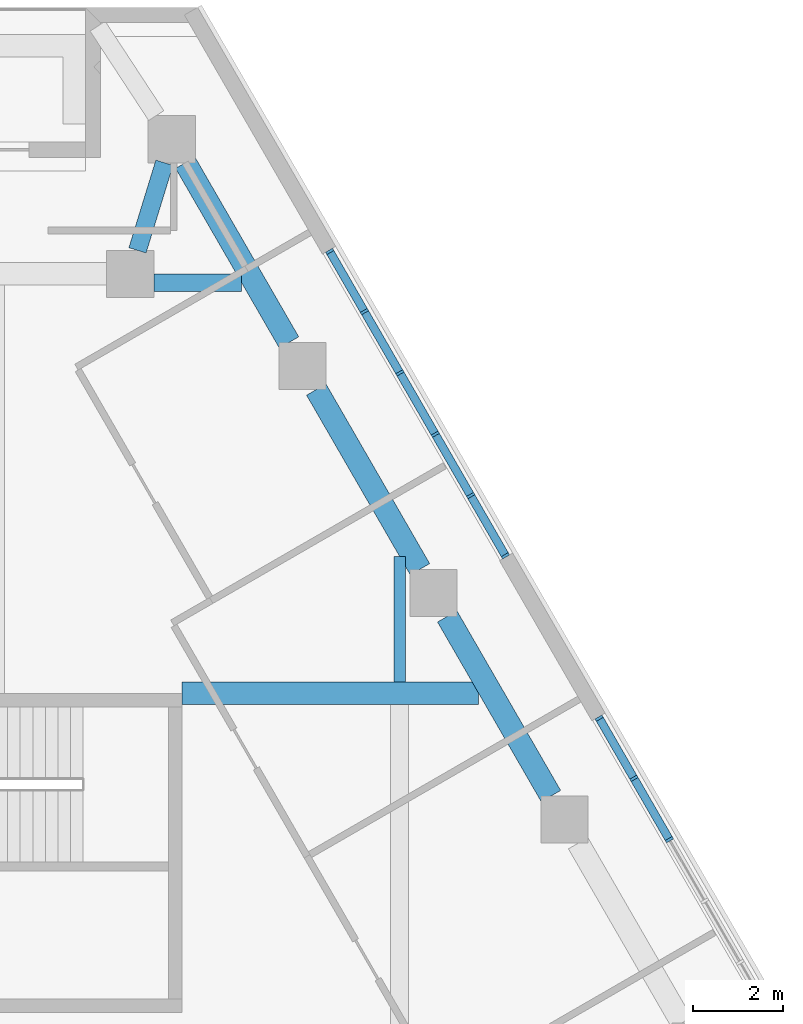
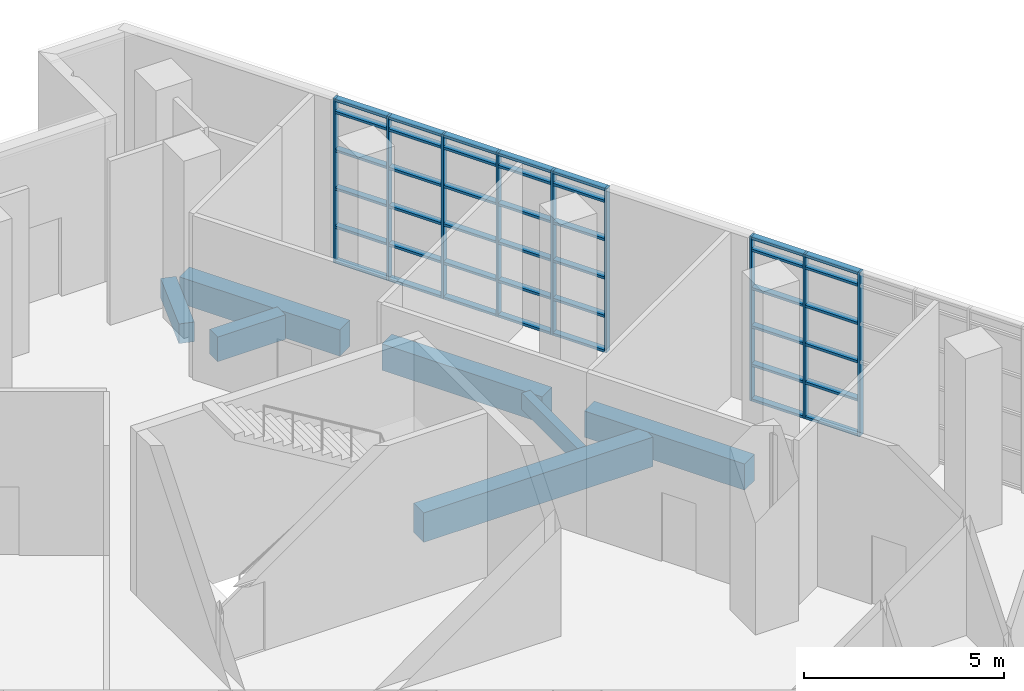
# One storey, part 7 of 18: 51 members, 7 beams, 2 elements without a shape of their own.
"""IFC4 building model written with IfcOpenShell, lengths in metres."""

from ifc_helpers import new_model, si_unit, direction, frame, origin, origin_2d, place, context, subcontext, project, spatial, rectangle, extrude, material, material_profile, profile_set, type_object, element, aggregate, save


model = new_model("IFC4")

# Units and contexts
model_context = context("Model", 3, precision=1e-05, world=origin(), true_north=direction((0.0, 1.0)))
body_context = subcontext(model_context, "Body", "Model", "MODEL_VIEW")
ifc_project = project(units=[si_unit("LENGTHUNIT", "METRE"), si_unit("AREAUNIT", "SQUARE_METRE"), si_unit("VOLUMEUNIT", "CUBIC_METRE"), si_unit("PLANEANGLEUNIT", "RADIAN"), si_unit("MASSUNIT", "GRAM", prefix="KILO")], contexts=[model_context])

# Site, building, storey
site_placement = place(None, origin())
site = spatial("IfcSite", under=ifc_project, at=site_placement, CompositionType="ELEMENT")
building_placement = place(site_placement, origin())
building = spatial("IfcBuilding", under=site, at=building_placement, Name="Fogline Exchange Tower", CompositionType="ELEMENT")
storey_placement = place(building_placement, frame((0.0, 0.0, 137.5)))
storey = spatial("IfcBuildingStorey", under=building, at=storey_placement, Name="L30", CompositionType="ELEMENT", Elevation=137.5)

# Beams
ifc_material_1 = material(Name="Concrete C40", Category="concrete")
ifc_material_profile_1 = material_profile(ifc_material_1, rectangle(XDim=0.5, YDim=0.89990234375, at=origin_2d()), Name="RC 500x900")
ifc_profile_set_1 = profile_set([ifc_material_profile_1], Name="Concrete C40")
beam_type_1 = type_object("IfcBeamType", Name="B02", PredefinedType="BEAM", material=ifc_profile_set_1)
beam_1_placement = place(storey_placement, frame((4.14990234375, 35.85693359375, -0.85009765625), z_axis=(1.0, 0.0, 0.0), x_axis=(0.0, 1.0, 0.0)))
element("IfcBeam", 1, at=beam_1_placement, inside=storey, type_object=beam_type_1, Name="GB010", PredefinedType="BEAM", context=body_context, shape_type="SweptSolid", body=[
    extrude(rectangle(XDim=0.5, YDim=0.89990234375, at=origin_2d()), origin(), (0.0, 0.0, 1.0), 6.6083984375),
])
ifc_material_profile_2 = material_profile(ifc_material_1, rectangle(XDim=0.39990234375, YDim=0.75, at=origin_2d()), Name="RC 400x750")
ifc_profile_set_2 = profile_set([ifc_material_profile_2], Name="Concrete C40")
beam_type_2 = type_object("IfcBeamType", Name="B05", PredefinedType="BEAM", material=ifc_profile_set_2)
beam_2_placement = place(storey_placement, frame((3.52490234375, 45.0, -0.77490234375), z_axis=(1.0, 0.0, 0.0), x_axis=(0.0, 1.0, 0.0)))
element("IfcBeam", 2, at=beam_2_placement, inside=storey, type_object=beam_type_2, Name="GB012", PredefinedType="BEAM", context=body_context, shape_type="SweptSolid", body=[
    extrude(rectangle(XDim=0.39990234375, YDim=0.75, at=origin_2d()), origin(), (0.0, 0.0, 1.0), 1.95458984375),
])
ifc_material_profile_3 = material_profile(ifc_material_1, rectangle(XDim=0.25, YDim=0.5, at=origin_2d()), Name="RC 250x500")
ifc_profile_set_3 = profile_set([ifc_material_profile_3], Name="Concrete C40")
beam_type_3 = type_object("IfcBeamType", Name="B08", PredefinedType="BEAM", material=ifc_profile_set_3)
beam_3_placement = place(storey_placement, frame((9.0, 36.10693359375, -0.64990234375), z_axis=(0.0, 1.0, 0.0), x_axis=(-1.0, 0.0, 0.0)))
element("IfcBeam", 3, at=beam_3_placement, inside=storey, type_object=beam_type_3, Name="SB011", PredefinedType="BEAM", context=body_context, shape_type="SweptSolid", body=[
    extrude(rectangle(XDim=0.25, YDim=0.5, at=origin_2d()), origin(), (0.0, 0.0, 1.0), 2.79541015625),
])
ifc_material_profile_4 = material_profile(ifc_material_1, rectangle(XDim=0.5, YDim=0.800048828125, at=origin_2d()), Name="RC 500x800")
ifc_profile_set_4 = profile_set([ifc_material_profile_4], Name="Concrete C40")
beam_type_4 = type_object("IfcBeamType", Name="B10", PredefinedType="BEAM", material=ifc_profile_set_4)
for number, where, z_axis, x_axis, name in (
    (4, (12.366943359375, 33.57080078125, -0.800048828125), (-0.500004591975, 0.86602275259, 0.0), (-0.86602275259, -0.500004591975, 0.0), "RB014"),
    (5, (9.451171875, 38.62109375, -0.800048828125), (-0.500004591975, 0.86602275259, 0.0), (-0.86602275259, -0.500004591975, 0.0), "RB015"),
    (6, (6.535400390625, 43.67138671875, -0.800048828125), (-0.500004591975, 0.86602275259, 0.0), (-0.86602275259, -0.500004591975, 0.0), "RB016"),
):
    element("IfcBeam", number, at=place(storey_placement, frame(where, z_axis=z_axis, x_axis=x_axis)), inside=storey, type_object=beam_type_4, Name=name, PredefinedType="BEAM", context=body_context, shape_type="SweptSolid", body=[
        extrude(rectangle(XDim=0.5, YDim=0.800048828125, at=origin_2d()), origin(), (0.0, 0.0, 1.0), 4.619140625),
    ])
ifc_material_profile_5 = material_profile(ifc_material_1, rectangle(XDim=0.39990234375, YDim=0.60009765625, at=origin_2d()), Name="RC 400x600")
ifc_profile_set_5 = profile_set([ifc_material_profile_5], Name="Concrete C40")
beam_type_5 = type_object("IfcBeamType", Name="B11", PredefinedType="BEAM", material=ifc_profile_set_5)
beam_4_placement = place(storey_placement, frame((3.76123046875, 47.671630859375, -0.699951171875), z_axis=(-0.293917654764, -0.955830744545, 0.0), x_axis=(0.955830744545, -0.293917654764, 0.0)))
element("IfcBeam", 7, at=beam_4_placement, inside=storey, type_object=beam_type_5, Name="RB017", PredefinedType="BEAM", context=body_context, shape_type="SweptSolid", body=[
    extrude(rectangle(XDim=0.39990234375, YDim=0.60009765625, at=origin_2d()), origin(), (0.0, 0.0, 1.0), 2.0400390625),
])

# Curtain wall, members
ifc_material_2 = material(Name="Aluminium and glass", Category="aluminium")
curtain_wall_type = type_object("IfcCurtainWallType", Name="CW4", PredefinedType="NOTDEFINED", material=ifc_material_2)
curtain_wall_1_placement = place(storey_placement, origin())
curtain_wall_1 = element("IfcCurtainWall", 8, at=curtain_wall_1_placement, inside=storey, type_object=curtain_wall_type, Name="CW4 L30 E run 3", PredefinedType="NOTDEFINED")
ifc_material_3 = material(Name="Aluminium", Category="aluminium")
ifc_material_profile_6 = material_profile(ifc_material_3, rectangle(XDim=0.179931640625, YDim=0.06005859375, at=origin_2d()), Name="Mullion 60x180")
ifc_profile_set_6 = profile_set([ifc_material_profile_6], Name="Aluminium")
member_type_1 = type_object("IfcMemberType", Name="CW4-M", PredefinedType="MULLION", material=ifc_profile_set_6)
member_1_placement = place(storey_placement, frame((15.0029296875, 32.60009765625, 0.0), z_axis=(0.0, 0.0, 1.0), x_axis=(-0.866025393993, -0.500000016959, 0.0)))
member_1 = element("IfcMember", 9, at=member_1_placement, type_object=member_type_1, Name="CW4-T09-06 mullion 4", PredefinedType="MULLION", context=body_context, shape_type="SweptSolid", body=[
    extrude(rectangle(XDim=0.179931640625, YDim=0.06005859375, at=origin_2d()), origin(), (0.0, 0.0, 1.0), 5.0),
])
member_2_placement = place(storey_placement, frame((14.21435546875, 33.9658203125, 0.0), z_axis=(0.0, 0.0, 1.0), x_axis=(-0.866025393993, -0.500000016959, 0.0)))
member_2 = element("IfcMember", 10, at=member_2_placement, type_object=member_type_1, Name="CW4-T09-06 mullion 5", PredefinedType="MULLION", context=body_context, shape_type="SweptSolid", body=[
    extrude(rectangle(XDim=0.179931640625, YDim=0.06005859375, at=origin_2d()), origin(), (0.0, 0.0, 1.0), 5.0),
])
member_3_placement = place(storey_placement, frame((13.44091796875, 35.305419921875, 0.0), z_axis=(0.0, 0.0, 1.0), x_axis=(-0.866025393993, -0.500000016959, 0.0)))
member_3 = element("IfcMember", 11, at=member_3_placement, type_object=member_type_1, Name="CW4-T09-06 mullion 6", PredefinedType="MULLION", context=body_context, shape_type="SweptSolid", body=[
    extrude(rectangle(XDim=0.179931640625, YDim=0.06005859375, at=origin_2d()), origin(), (0.0, 0.0, 1.0), 5.0),
])

curtain_wall_2_placement = place(storey_placement, origin())
curtain_wall_2 = element("IfcCurtainWall", 12, at=curtain_wall_2_placement, inside=storey, type_object=curtain_wall_type, Name="CW4 L30 E run 4", PredefinedType="NOTDEFINED")
member_4_placement = place(storey_placement, frame((11.353515625, 38.921142578125, 0.0), z_axis=(0.0, 0.0, 1.0), x_axis=(-0.866025393993, -0.500000016959, 0.0)))
member_4 = element("IfcMember", 13, at=member_4_placement, type_object=member_type_1, Name="CW4-T09-07 mullion 1", PredefinedType="MULLION", context=body_context, shape_type="SweptSolid", body=[
    extrude(rectangle(XDim=0.179931640625, YDim=0.06005859375, at=origin_2d()), origin(), (0.0, 0.0, 1.0), 5.0),
])
member_5_placement = place(storey_placement, frame((10.579833984375, 40.260986328125, 0.0), z_axis=(0.0, 0.0, 1.0), x_axis=(-0.866025393993, -0.500000016959, 0.0)))
member_5 = element("IfcMember", 14, at=member_5_placement, type_object=member_type_1, Name="CW4-T09-07 mullion 2", PredefinedType="MULLION", context=body_context, shape_type="SweptSolid", body=[
    extrude(rectangle(XDim=0.179931640625, YDim=0.06005859375, at=origin_2d()), origin(), (0.0, 0.0, 1.0), 5.0),
])
member_6_placement = place(storey_placement, frame((9.79150390625, 41.626708984375, 0.0), z_axis=(0.0, 0.0, 1.0), x_axis=(-0.866025393993, -0.500000016959, 0.0)))
member_6 = element("IfcMember", 15, at=member_6_placement, type_object=member_type_1, Name="CW4-T09-07 mullion 3", PredefinedType="MULLION", context=body_context, shape_type="SweptSolid", body=[
    extrude(rectangle(XDim=0.179931640625, YDim=0.06005859375, at=origin_2d()), origin(), (0.0, 0.0, 1.0), 5.0),
])
member_7_placement = place(storey_placement, frame((9.0029296875, 42.992431640625, 0.0), z_axis=(0.0, 0.0, 1.0), x_axis=(-0.866025393993, -0.500000016959, 0.0)))
member_7 = element("IfcMember", 16, at=member_7_placement, type_object=member_type_1, Name="CW4-T09-07 mullion 4", PredefinedType="MULLION", context=body_context, shape_type="SweptSolid", body=[
    extrude(rectangle(XDim=0.179931640625, YDim=0.06005859375, at=origin_2d()), origin(), (0.0, 0.0, 1.0), 5.0),
])
member_8_placement = place(storey_placement, frame((8.21435546875, 44.358154296875, 0.0), z_axis=(0.0, 0.0, 1.0), x_axis=(-0.866025393993, -0.500000016959, 0.0)))
member_8 = element("IfcMember", 17, at=member_8_placement, type_object=member_type_1, Name="CW4-T09-07 mullion 5", PredefinedType="MULLION", context=body_context, shape_type="SweptSolid", body=[
    extrude(rectangle(XDim=0.179931640625, YDim=0.06005859375, at=origin_2d()), origin(), (0.0, 0.0, 1.0), 5.0),
])
member_9_placement = place(storey_placement, frame((7.44091796875, 45.69775390625, 0.0), z_axis=(0.0, 0.0, 1.0), x_axis=(-0.866025393993, -0.500000016959, 0.0)))
member_9 = element("IfcMember", 18, at=member_9_placement, type_object=member_type_1, Name="CW4-T09-07 mullion 6", PredefinedType="MULLION", context=body_context, shape_type="SweptSolid", body=[
    extrude(rectangle(XDim=0.179931640625, YDim=0.06005859375, at=origin_2d()), origin(), (0.0, 0.0, 1.0), 5.0),
])

# Member
ifc_material_profile_7 = material_profile(ifc_material_3, rectangle(XDim=0.179931640625, YDim=0.074951171875, at=origin_2d()), Name="Transom 75x180")
ifc_profile_set_7 = profile_set([ifc_material_profile_7], Name="Aluminium")
member_type_2 = type_object("IfcMemberType", Name="CW4-T", PredefinedType="USERDEFINED", material=ifc_profile_set_7)
member_10_placement = place(storey_placement, frame((14.988037109375, 32.6259765625, 0.03759765625), z_axis=(-0.500033579465, 0.866006015803, 0.0), x_axis=(-0.866006015803, -0.500033579465, 0.0)))
member_10 = element("IfcMember", 19, at=member_10_placement, type_object=member_type_2, Name="CW4-T09-06 transom 4.1", ObjectType="TRANSOM", PredefinedType="USERDEFINED", context=body_context, shape_type="SweptSolid", body=[
    extrude(rectangle(XDim=0.179931640625, YDim=0.074951171875, at=origin_2d()), origin(), (0.0, 0.0, 1.0), 1.51708984375),
])

member_11_placement = place(storey_placement, frame((14.988037109375, 32.6259765625, 1.10009765625), z_axis=(-0.500033579465, 0.866006015803, 0.0), x_axis=(-0.866006015803, -0.500033579465, 0.0)))
member_11 = element("IfcMember", 20, at=member_11_placement, type_object=member_type_2, Name="CW4-T09-06 transom 4.2", ObjectType="TRANSOM", PredefinedType="USERDEFINED", context=body_context, shape_type="SweptSolid", body=[
    extrude(rectangle(XDim=0.179931640625, YDim=0.074951171875, at=origin_2d()), origin(), (0.0, 0.0, 1.0), 1.51708984375),
])

member_12_placement = place(storey_placement, frame((14.988037109375, 32.6259765625, 2.2666015625), z_axis=(-0.500033579465, 0.866006015803, 0.0), x_axis=(-0.866006015803, -0.500033579465, 0.0)))
member_12 = element("IfcMember", 21, at=member_12_placement, type_object=member_type_2, Name="CW4-T09-06 transom 4.3", ObjectType="TRANSOM", PredefinedType="USERDEFINED", context=body_context, shape_type="SweptSolid", body=[
    extrude(rectangle(XDim=0.179931640625, YDim=0.074951171875, at=origin_2d()), origin(), (0.0, 0.0, 1.0), 1.51708984375),
])

member_13_placement = place(storey_placement, frame((14.988037109375, 32.6259765625, 3.433349609375), z_axis=(-0.500033579465, 0.866006015803, 0.0), x_axis=(-0.866006015803, -0.500033579465, 0.0)))
member_13 = element("IfcMember", 22, at=member_13_placement, type_object=member_type_2, Name="CW4-T09-06 transom 4.4", ObjectType="TRANSOM", PredefinedType="USERDEFINED", context=body_context, shape_type="SweptSolid", body=[
    extrude(rectangle(XDim=0.179931640625, YDim=0.074951171875, at=origin_2d()), origin(), (0.0, 0.0, 1.0), 1.51708984375),
])

member_14_placement = place(storey_placement, frame((14.988037109375, 32.6259765625, 4.60009765625), z_axis=(-0.500033579465, 0.866006015803, 0.0), x_axis=(-0.866006015803, -0.500033579465, 0.0)))
member_14 = element("IfcMember", 23, at=member_14_placement, type_object=member_type_2, Name="CW4-T09-06 transom 4.5", ObjectType="TRANSOM", PredefinedType="USERDEFINED", context=body_context, shape_type="SweptSolid", body=[
    extrude(rectangle(XDim=0.179931640625, YDim=0.074951171875, at=origin_2d()), origin(), (0.0, 0.0, 1.0), 1.51708984375),
])

member_15_placement = place(storey_placement, frame((14.988037109375, 32.6259765625, 4.96240234375), z_axis=(-0.500033579465, 0.866006015803, 0.0), x_axis=(-0.866006015803, -0.500033579465, 0.0)))
member_15 = element("IfcMember", 24, at=member_15_placement, type_object=member_type_2, Name="CW4-T09-06 transom 4.6", ObjectType="TRANSOM", PredefinedType="USERDEFINED", context=body_context, shape_type="SweptSolid", body=[
    extrude(rectangle(XDim=0.179931640625, YDim=0.074951171875, at=origin_2d()), origin(), (0.0, 0.0, 1.0), 1.51708984375),
])

member_16_placement = place(storey_placement, frame((14.199462890625, 33.99169921875, 0.03759765625), z_axis=(-0.500058770943, 0.865991469706, 0.0), x_axis=(-0.865991469706, -0.500058770943, 0.0)))
member_16 = element("IfcMember", 25, at=member_16_placement, type_object=member_type_2, Name="CW4-T09-06 transom 5.1", ObjectType="TRANSOM", PredefinedType="USERDEFINED", context=body_context, shape_type="SweptSolid", body=[
    extrude(rectangle(XDim=0.179931640625, YDim=0.074951171875, at=origin_2d()), origin(), (0.0, 0.0, 1.0), 1.487060546875),
])

member_17_placement = place(storey_placement, frame((14.199462890625, 33.99169921875, 1.10009765625), z_axis=(-0.500058770943, 0.865991469706, 0.0), x_axis=(-0.865991469706, -0.500058770943, 0.0)))
member_17 = element("IfcMember", 26, at=member_17_placement, type_object=member_type_2, Name="CW4-T09-06 transom 5.2", ObjectType="TRANSOM", PredefinedType="USERDEFINED", context=body_context, shape_type="SweptSolid", body=[
    extrude(rectangle(XDim=0.179931640625, YDim=0.074951171875, at=origin_2d()), origin(), (0.0, 0.0, 1.0), 1.487060546875),
])

member_18_placement = place(storey_placement, frame((14.199462890625, 33.99169921875, 2.2666015625), z_axis=(-0.500058770943, 0.865991469706, 0.0), x_axis=(-0.865991469706, -0.500058770943, 0.0)))
member_18 = element("IfcMember", 27, at=member_18_placement, type_object=member_type_2, Name="CW4-T09-06 transom 5.3", ObjectType="TRANSOM", PredefinedType="USERDEFINED", context=body_context, shape_type="SweptSolid", body=[
    extrude(rectangle(XDim=0.179931640625, YDim=0.074951171875, at=origin_2d()), origin(), (0.0, 0.0, 1.0), 1.487060546875),
])

member_19_placement = place(storey_placement, frame((14.199462890625, 33.99169921875, 3.433349609375), z_axis=(-0.500058770943, 0.865991469706, 0.0), x_axis=(-0.865991469706, -0.500058770943, 0.0)))
member_19 = element("IfcMember", 28, at=member_19_placement, type_object=member_type_2, Name="CW4-T09-06 transom 5.4", ObjectType="TRANSOM", PredefinedType="USERDEFINED", context=body_context, shape_type="SweptSolid", body=[
    extrude(rectangle(XDim=0.179931640625, YDim=0.074951171875, at=origin_2d()), origin(), (0.0, 0.0, 1.0), 1.487060546875),
])

member_20_placement = place(storey_placement, frame((14.199462890625, 33.99169921875, 4.60009765625), z_axis=(-0.500058770943, 0.865991469706, 0.0), x_axis=(-0.865991469706, -0.500058770943, 0.0)))
member_20 = element("IfcMember", 29, at=member_20_placement, type_object=member_type_2, Name="CW4-T09-06 transom 5.5", ObjectType="TRANSOM", PredefinedType="USERDEFINED", context=body_context, shape_type="SweptSolid", body=[
    extrude(rectangle(XDim=0.179931640625, YDim=0.074951171875, at=origin_2d()), origin(), (0.0, 0.0, 1.0), 1.487060546875),
])

member_21_placement = place(storey_placement, frame((14.199462890625, 33.99169921875, 4.96240234375), z_axis=(-0.500058770943, 0.865991469706, 0.0), x_axis=(-0.865991469706, -0.500058770943, 0.0)))
member_21 = element("IfcMember", 30, at=member_21_placement, type_object=member_type_2, Name="CW4-T09-06 transom 5.6", ObjectType="TRANSOM", PredefinedType="USERDEFINED", context=body_context, shape_type="SweptSolid", body=[
    extrude(rectangle(XDim=0.179931640625, YDim=0.074951171875, at=origin_2d()), origin(), (0.0, 0.0, 1.0), 1.487060546875),
])

aggregate(curtain_wall_1, [member_1, member_2, member_3, member_10, member_11, member_12, member_13, member_14, member_15, member_16, member_17, member_18, member_19, member_20, member_21])

member_22_placement = place(storey_placement, frame((11.33837890625, 38.947021484375, 0.03759765625), z_axis=(-0.499935638681, 0.86606255962, 0.0), x_axis=(-0.86606255962, -0.499935638681, 0.0)))
member_22 = element("IfcMember", 31, at=member_22_placement, type_object=member_type_2, Name="CW4-T09-07 transom 1.1", ObjectType="TRANSOM", PredefinedType="USERDEFINED", context=body_context, shape_type="SweptSolid", body=[
    extrude(rectangle(XDim=0.179931640625, YDim=0.074951171875, at=origin_2d()), origin(), (0.0, 0.0, 1.0), 1.487060546875),
])

member_23_placement = place(storey_placement, frame((11.33837890625, 38.947021484375, 1.10009765625), z_axis=(-0.499935638681, 0.86606255962, 0.0), x_axis=(-0.86606255962, -0.499935638681, 0.0)))
member_23 = element("IfcMember", 32, at=member_23_placement, type_object=member_type_2, Name="CW4-T09-07 transom 1.2", ObjectType="TRANSOM", PredefinedType="USERDEFINED", context=body_context, shape_type="SweptSolid", body=[
    extrude(rectangle(XDim=0.179931640625, YDim=0.074951171875, at=origin_2d()), origin(), (0.0, 0.0, 1.0), 1.487060546875),
])

member_24_placement = place(storey_placement, frame((11.33837890625, 38.947021484375, 2.2666015625), z_axis=(-0.499935638681, 0.86606255962, 0.0), x_axis=(-0.86606255962, -0.499935638681, 0.0)))
member_24 = element("IfcMember", 33, at=member_24_placement, type_object=member_type_2, Name="CW4-T09-07 transom 1.3", ObjectType="TRANSOM", PredefinedType="USERDEFINED", context=body_context, shape_type="SweptSolid", body=[
    extrude(rectangle(XDim=0.179931640625, YDim=0.074951171875, at=origin_2d()), origin(), (0.0, 0.0, 1.0), 1.487060546875),
])

member_25_placement = place(storey_placement, frame((11.33837890625, 38.947021484375, 3.433349609375), z_axis=(-0.499935638681, 0.86606255962, 0.0), x_axis=(-0.86606255962, -0.499935638681, 0.0)))
member_25 = element("IfcMember", 34, at=member_25_placement, type_object=member_type_2, Name="CW4-T09-07 transom 1.4", ObjectType="TRANSOM", PredefinedType="USERDEFINED", context=body_context, shape_type="SweptSolid", body=[
    extrude(rectangle(XDim=0.179931640625, YDim=0.074951171875, at=origin_2d()), origin(), (0.0, 0.0, 1.0), 1.487060546875),
])

member_26_placement = place(storey_placement, frame((11.33837890625, 38.947021484375, 4.60009765625), z_axis=(-0.499935638681, 0.86606255962, 0.0), x_axis=(-0.86606255962, -0.499935638681, 0.0)))
member_26 = element("IfcMember", 35, at=member_26_placement, type_object=member_type_2, Name="CW4-T09-07 transom 1.5", ObjectType="TRANSOM", PredefinedType="USERDEFINED", context=body_context, shape_type="SweptSolid", body=[
    extrude(rectangle(XDim=0.179931640625, YDim=0.074951171875, at=origin_2d()), origin(), (0.0, 0.0, 1.0), 1.487060546875),
])

member_27_placement = place(storey_placement, frame((11.33837890625, 38.947021484375, 4.96240234375), z_axis=(-0.499935638681, 0.86606255962, 0.0), x_axis=(-0.86606255962, -0.499935638681, 0.0)))
member_27 = element("IfcMember", 36, at=member_27_placement, type_object=member_type_2, Name="CW4-T09-07 transom 1.6", ObjectType="TRANSOM", PredefinedType="USERDEFINED", context=body_context, shape_type="SweptSolid", body=[
    extrude(rectangle(XDim=0.179931640625, YDim=0.074951171875, at=origin_2d()), origin(), (0.0, 0.0, 1.0), 1.487060546875),
])

member_28_placement = place(storey_placement, frame((10.56494140625, 40.286865234375, 0.03759765625), z_axis=(-0.500033579465, 0.866006015803, 0.0), x_axis=(-0.866006015803, -0.500033579465, 0.0)))
member_28 = element("IfcMember", 37, at=member_28_placement, type_object=member_type_2, Name="CW4-T09-07 transom 2.1", ObjectType="TRANSOM", PredefinedType="USERDEFINED", context=body_context, shape_type="SweptSolid", body=[
    extrude(rectangle(XDim=0.179931640625, YDim=0.074951171875, at=origin_2d()), origin(), (0.0, 0.0, 1.0), 1.51708984375),
])

member_29_placement = place(storey_placement, frame((10.56494140625, 40.286865234375, 1.10009765625), z_axis=(-0.500033579465, 0.866006015803, 0.0), x_axis=(-0.866006015803, -0.500033579465, 0.0)))
member_29 = element("IfcMember", 38, at=member_29_placement, type_object=member_type_2, Name="CW4-T09-07 transom 2.2", ObjectType="TRANSOM", PredefinedType="USERDEFINED", context=body_context, shape_type="SweptSolid", body=[
    extrude(rectangle(XDim=0.179931640625, YDim=0.074951171875, at=origin_2d()), origin(), (0.0, 0.0, 1.0), 1.51708984375),
])

member_30_placement = place(storey_placement, frame((10.56494140625, 40.286865234375, 2.2666015625), z_axis=(-0.500033579465, 0.866006015803, 0.0), x_axis=(-0.866006015803, -0.500033579465, 0.0)))
member_30 = element("IfcMember", 39, at=member_30_placement, type_object=member_type_2, Name="CW4-T09-07 transom 2.3", ObjectType="TRANSOM", PredefinedType="USERDEFINED", context=body_context, shape_type="SweptSolid", body=[
    extrude(rectangle(XDim=0.179931640625, YDim=0.074951171875, at=origin_2d()), origin(), (0.0, 0.0, 1.0), 1.51708984375),
])

member_31_placement = place(storey_placement, frame((10.56494140625, 40.286865234375, 3.433349609375), z_axis=(-0.500033579465, 0.866006015803, 0.0), x_axis=(-0.866006015803, -0.500033579465, 0.0)))
member_31 = element("IfcMember", 40, at=member_31_placement, type_object=member_type_2, Name="CW4-T09-07 transom 2.4", ObjectType="TRANSOM", PredefinedType="USERDEFINED", context=body_context, shape_type="SweptSolid", body=[
    extrude(rectangle(XDim=0.179931640625, YDim=0.074951171875, at=origin_2d()), origin(), (0.0, 0.0, 1.0), 1.51708984375),
])

member_32_placement = place(storey_placement, frame((10.56494140625, 40.286865234375, 4.60009765625), z_axis=(-0.500033579465, 0.866006015803, 0.0), x_axis=(-0.866006015803, -0.500033579465, 0.0)))
member_32 = element("IfcMember", 41, at=member_32_placement, type_object=member_type_2, Name="CW4-T09-07 transom 2.5", ObjectType="TRANSOM", PredefinedType="USERDEFINED", context=body_context, shape_type="SweptSolid", body=[
    extrude(rectangle(XDim=0.179931640625, YDim=0.074951171875, at=origin_2d()), origin(), (0.0, 0.0, 1.0), 1.51708984375),
])

member_33_placement = place(storey_placement, frame((10.56494140625, 40.286865234375, 4.96240234375), z_axis=(-0.500033579465, 0.866006015803, 0.0), x_axis=(-0.866006015803, -0.500033579465, 0.0)))
member_33 = element("IfcMember", 42, at=member_33_placement, type_object=member_type_2, Name="CW4-T09-07 transom 2.6", ObjectType="TRANSOM", PredefinedType="USERDEFINED", context=body_context, shape_type="SweptSolid", body=[
    extrude(rectangle(XDim=0.179931640625, YDim=0.074951171875, at=origin_2d()), origin(), (0.0, 0.0, 1.0), 1.51708984375),
])

member_34_placement = place(storey_placement, frame((9.7763671875, 41.652587890625, 0.03759765625), z_axis=(-0.500033579465, 0.866006015803, 0.0), x_axis=(-0.866006015803, -0.500033579465, 0.0)))
member_34 = element("IfcMember", 43, at=member_34_placement, type_object=member_type_2, Name="CW4-T09-07 transom 3.1", ObjectType="TRANSOM", PredefinedType="USERDEFINED", context=body_context, shape_type="SweptSolid", body=[
    extrude(rectangle(XDim=0.179931640625, YDim=0.074951171875, at=origin_2d()), origin(), (0.0, 0.0, 1.0), 1.51708984375),
])

member_35_placement = place(storey_placement, frame((9.7763671875, 41.652587890625, 1.10009765625), z_axis=(-0.500033579465, 0.866006015803, 0.0), x_axis=(-0.866006015803, -0.500033579465, 0.0)))
member_35 = element("IfcMember", 44, at=member_35_placement, type_object=member_type_2, Name="CW4-T09-07 transom 3.2", ObjectType="TRANSOM", PredefinedType="USERDEFINED", context=body_context, shape_type="SweptSolid", body=[
    extrude(rectangle(XDim=0.179931640625, YDim=0.074951171875, at=origin_2d()), origin(), (0.0, 0.0, 1.0), 1.51708984375),
])

member_36_placement = place(storey_placement, frame((9.7763671875, 41.652587890625, 2.2666015625), z_axis=(-0.500033579465, 0.866006015803, 0.0), x_axis=(-0.866006015803, -0.500033579465, 0.0)))
member_36 = element("IfcMember", 45, at=member_36_placement, type_object=member_type_2, Name="CW4-T09-07 transom 3.3", ObjectType="TRANSOM", PredefinedType="USERDEFINED", context=body_context, shape_type="SweptSolid", body=[
    extrude(rectangle(XDim=0.179931640625, YDim=0.074951171875, at=origin_2d()), origin(), (0.0, 0.0, 1.0), 1.51708984375),
])

member_37_placement = place(storey_placement, frame((9.7763671875, 41.652587890625, 3.433349609375), z_axis=(-0.500033579465, 0.866006015803, 0.0), x_axis=(-0.866006015803, -0.500033579465, 0.0)))
member_37 = element("IfcMember", 46, at=member_37_placement, type_object=member_type_2, Name="CW4-T09-07 transom 3.4", ObjectType="TRANSOM", PredefinedType="USERDEFINED", context=body_context, shape_type="SweptSolid", body=[
    extrude(rectangle(XDim=0.179931640625, YDim=0.074951171875, at=origin_2d()), origin(), (0.0, 0.0, 1.0), 1.51708984375),
])

member_38_placement = place(storey_placement, frame((9.7763671875, 41.652587890625, 4.60009765625), z_axis=(-0.500033579465, 0.866006015803, 0.0), x_axis=(-0.866006015803, -0.500033579465, 0.0)))
member_38 = element("IfcMember", 47, at=member_38_placement, type_object=member_type_2, Name="CW4-T09-07 transom 3.5", ObjectType="TRANSOM", PredefinedType="USERDEFINED", context=body_context, shape_type="SweptSolid", body=[
    extrude(rectangle(XDim=0.179931640625, YDim=0.074951171875, at=origin_2d()), origin(), (0.0, 0.0, 1.0), 1.51708984375),
])

member_39_placement = place(storey_placement, frame((9.7763671875, 41.652587890625, 4.96240234375), z_axis=(-0.500033579465, 0.866006015803, 0.0), x_axis=(-0.866006015803, -0.500033579465, 0.0)))
member_39 = element("IfcMember", 48, at=member_39_placement, type_object=member_type_2, Name="CW4-T09-07 transom 3.6", ObjectType="TRANSOM", PredefinedType="USERDEFINED", context=body_context, shape_type="SweptSolid", body=[
    extrude(rectangle(XDim=0.179931640625, YDim=0.074951171875, at=origin_2d()), origin(), (0.0, 0.0, 1.0), 1.51708984375),
])

member_40_placement = place(storey_placement, frame((8.988037109375, 43.018310546875, 0.03759765625), z_axis=(-0.500033579465, 0.866006015803, 0.0), x_axis=(-0.866006015803, -0.500033579465, 0.0)))
member_40 = element("IfcMember", 49, at=member_40_placement, type_object=member_type_2, Name="CW4-T09-07 transom 4.1", ObjectType="TRANSOM", PredefinedType="USERDEFINED", context=body_context, shape_type="SweptSolid", body=[
    extrude(rectangle(XDim=0.179931640625, YDim=0.074951171875, at=origin_2d()), origin(), (0.0, 0.0, 1.0), 1.51708984375),
])

member_41_placement = place(storey_placement, frame((8.988037109375, 43.018310546875, 1.10009765625), z_axis=(-0.500033579465, 0.866006015803, 0.0), x_axis=(-0.866006015803, -0.500033579465, 0.0)))
member_41 = element("IfcMember", 50, at=member_41_placement, type_object=member_type_2, Name="CW4-T09-07 transom 4.2", ObjectType="TRANSOM", PredefinedType="USERDEFINED", context=body_context, shape_type="SweptSolid", body=[
    extrude(rectangle(XDim=0.179931640625, YDim=0.074951171875, at=origin_2d()), origin(), (0.0, 0.0, 1.0), 1.51708984375),
])

member_42_placement = place(storey_placement, frame((8.988037109375, 43.018310546875, 2.2666015625), z_axis=(-0.500033579465, 0.866006015803, 0.0), x_axis=(-0.866006015803, -0.500033579465, 0.0)))
member_42 = element("IfcMember", 51, at=member_42_placement, type_object=member_type_2, Name="CW4-T09-07 transom 4.3", ObjectType="TRANSOM", PredefinedType="USERDEFINED", context=body_context, shape_type="SweptSolid", body=[
    extrude(rectangle(XDim=0.179931640625, YDim=0.074951171875, at=origin_2d()), origin(), (0.0, 0.0, 1.0), 1.51708984375),
])

member_43_placement = place(storey_placement, frame((8.988037109375, 43.018310546875, 3.433349609375), z_axis=(-0.500033579465, 0.866006015803, 0.0), x_axis=(-0.866006015803, -0.500033579465, 0.0)))
member_43 = element("IfcMember", 52, at=member_43_placement, type_object=member_type_2, Name="CW4-T09-07 transom 4.4", ObjectType="TRANSOM", PredefinedType="USERDEFINED", context=body_context, shape_type="SweptSolid", body=[
    extrude(rectangle(XDim=0.179931640625, YDim=0.074951171875, at=origin_2d()), origin(), (0.0, 0.0, 1.0), 1.51708984375),
])

member_44_placement = place(storey_placement, frame((8.988037109375, 43.018310546875, 4.60009765625), z_axis=(-0.500033579465, 0.866006015803, 0.0), x_axis=(-0.866006015803, -0.500033579465, 0.0)))
member_44 = element("IfcMember", 53, at=member_44_placement, type_object=member_type_2, Name="CW4-T09-07 transom 4.5", ObjectType="TRANSOM", PredefinedType="USERDEFINED", context=body_context, shape_type="SweptSolid", body=[
    extrude(rectangle(XDim=0.179931640625, YDim=0.074951171875, at=origin_2d()), origin(), (0.0, 0.0, 1.0), 1.51708984375),
])

member_45_placement = place(storey_placement, frame((8.988037109375, 43.018310546875, 4.96240234375), z_axis=(-0.500033579465, 0.866006015803, 0.0), x_axis=(-0.866006015803, -0.500033579465, 0.0)))
member_45 = element("IfcMember", 54, at=member_45_placement, type_object=member_type_2, Name="CW4-T09-07 transom 4.6", ObjectType="TRANSOM", PredefinedType="USERDEFINED", context=body_context, shape_type="SweptSolid", body=[
    extrude(rectangle(XDim=0.179931640625, YDim=0.074951171875, at=origin_2d()), origin(), (0.0, 0.0, 1.0), 1.51708984375),
])

member_46_placement = place(storey_placement, frame((8.199462890625, 44.384033203125, 0.03759765625), z_axis=(-0.500058770943, 0.865991469706, 0.0), x_axis=(-0.865991469706, -0.500058770943, 0.0)))
member_46 = element("IfcMember", 55, at=member_46_placement, type_object=member_type_2, Name="CW4-T09-07 transom 5.1", ObjectType="TRANSOM", PredefinedType="USERDEFINED", context=body_context, shape_type="SweptSolid", body=[
    extrude(rectangle(XDim=0.179931640625, YDim=0.074951171875, at=origin_2d()), origin(), (0.0, 0.0, 1.0), 1.487060546875),
])

member_47_placement = place(storey_placement, frame((8.199462890625, 44.384033203125, 1.10009765625), z_axis=(-0.500058770943, 0.865991469706, 0.0), x_axis=(-0.865991469706, -0.500058770943, 0.0)))
member_47 = element("IfcMember", 56, at=member_47_placement, type_object=member_type_2, Name="CW4-T09-07 transom 5.2", ObjectType="TRANSOM", PredefinedType="USERDEFINED", context=body_context, shape_type="SweptSolid", body=[
    extrude(rectangle(XDim=0.179931640625, YDim=0.074951171875, at=origin_2d()), origin(), (0.0, 0.0, 1.0), 1.487060546875),
])

member_48_placement = place(storey_placement, frame((8.199462890625, 44.384033203125, 2.2666015625), z_axis=(-0.500058770943, 0.865991469706, 0.0), x_axis=(-0.865991469706, -0.500058770943, 0.0)))
member_48 = element("IfcMember", 57, at=member_48_placement, type_object=member_type_2, Name="CW4-T09-07 transom 5.3", ObjectType="TRANSOM", PredefinedType="USERDEFINED", context=body_context, shape_type="SweptSolid", body=[
    extrude(rectangle(XDim=0.179931640625, YDim=0.074951171875, at=origin_2d()), origin(), (0.0, 0.0, 1.0), 1.487060546875),
])

member_49_placement = place(storey_placement, frame((8.199462890625, 44.384033203125, 3.433349609375), z_axis=(-0.500058770943, 0.865991469706, 0.0), x_axis=(-0.865991469706, -0.500058770943, 0.0)))
member_49 = element("IfcMember", 58, at=member_49_placement, type_object=member_type_2, Name="CW4-T09-07 transom 5.4", ObjectType="TRANSOM", PredefinedType="USERDEFINED", context=body_context, shape_type="SweptSolid", body=[
    extrude(rectangle(XDim=0.179931640625, YDim=0.074951171875, at=origin_2d()), origin(), (0.0, 0.0, 1.0), 1.487060546875),
])

member_50_placement = place(storey_placement, frame((8.199462890625, 44.384033203125, 4.60009765625), z_axis=(-0.500058770943, 0.865991469706, 0.0), x_axis=(-0.865991469706, -0.500058770943, 0.0)))
member_50 = element("IfcMember", 59, at=member_50_placement, type_object=member_type_2, Name="CW4-T09-07 transom 5.5", ObjectType="TRANSOM", PredefinedType="USERDEFINED", context=body_context, shape_type="SweptSolid", body=[
    extrude(rectangle(XDim=0.179931640625, YDim=0.074951171875, at=origin_2d()), origin(), (0.0, 0.0, 1.0), 1.487060546875),
])

member_51_placement = place(storey_placement, frame((8.199462890625, 44.384033203125, 4.96240234375), z_axis=(-0.500058770943, 0.865991469706, 0.0), x_axis=(-0.865991469706, -0.500058770943, 0.0)))
member_51 = element("IfcMember", 60, at=member_51_placement, type_object=member_type_2, Name="CW4-T09-07 transom 5.6", ObjectType="TRANSOM", PredefinedType="USERDEFINED", context=body_context, shape_type="SweptSolid", body=[
    extrude(rectangle(XDim=0.179931640625, YDim=0.074951171875, at=origin_2d()), origin(), (0.0, 0.0, 1.0), 1.487060546875),
])

aggregate(curtain_wall_2, [member_4, member_5, member_6, member_7, member_8, member_9, member_22, member_23, member_24, member_25, member_26, member_27, member_28, member_29, member_30, member_31, member_32, member_33, member_34, member_35, member_36, member_37, member_38, member_39, member_40, member_41, member_42, member_43, member_44, member_45, member_46, member_47, member_48, member_49, member_50, member_51])

save(model, "model.ifc")
